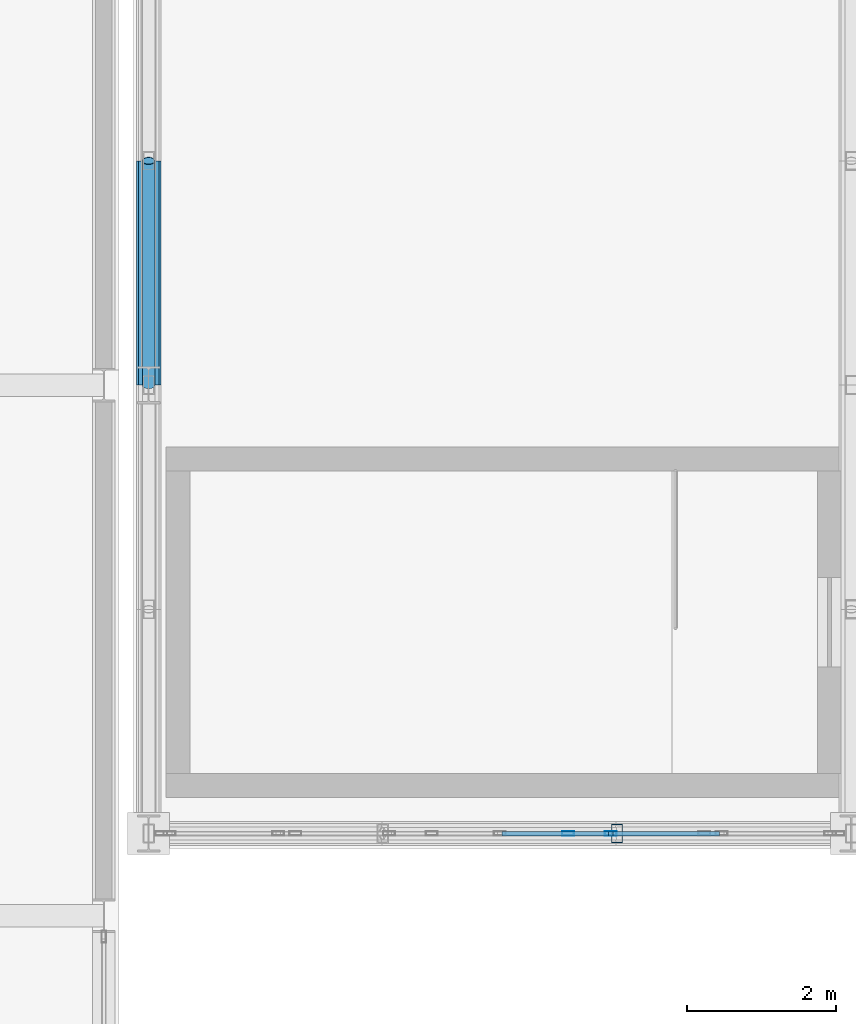
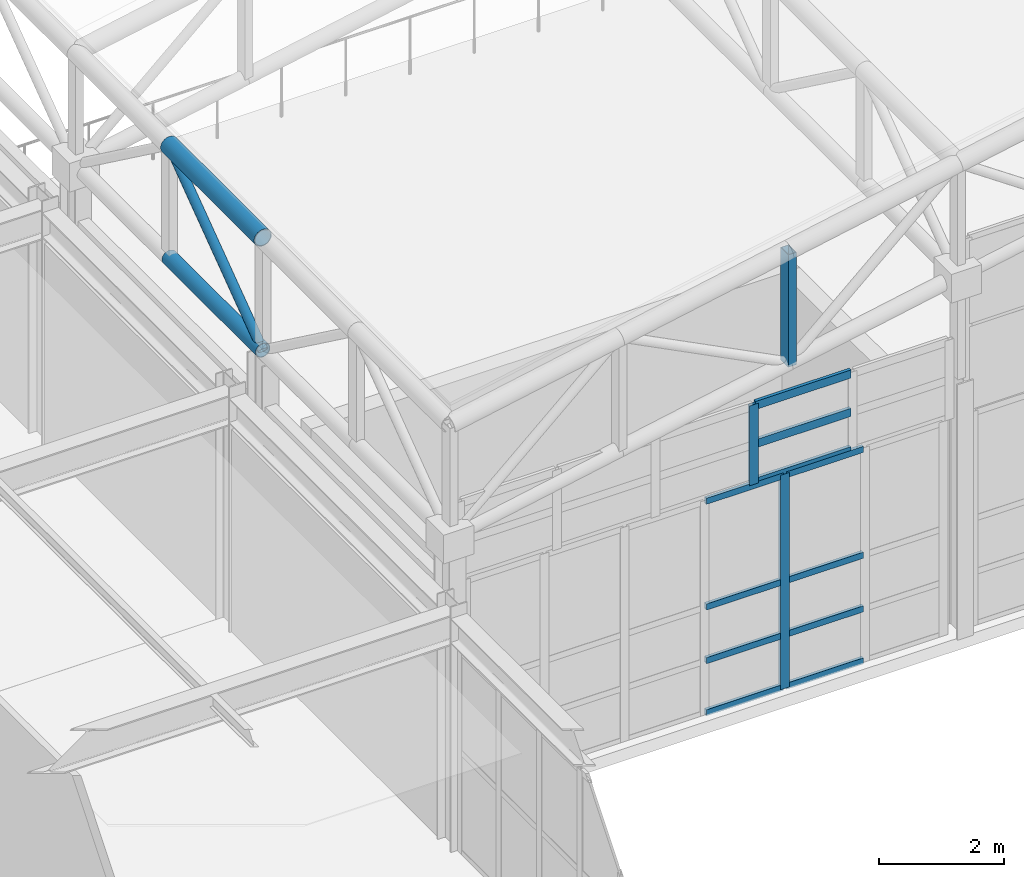
# One storey, part 43 of 112: 17 members, 2 elements without a shape of their own.
"""IFC4 building model written with IfcOpenShell, lengths in metres."""

import ifcopenshell
import ifcopenshell.guid

model = None  # the IFC model being written
_history = None  # IfcOwnerHistory: only IFC2X3 demands one
_inside = {}  # id of a spatial element -> (the spatial element, [elements in it])
_under = {}  # id of a project, library or spatial element -> (it, [spatial elements below it])
_declared = {}  # id of a project -> (the project, [libraries it declares])
_typed = {}  # id of a type object -> (the type object, [elements of that type])
_made_of = {}  # id of a material, layer set ... -> (it, [elements and type objects made of it])


def new_model(schema):
    """Start an empty IFC model of exactly this schema.

    Asked for "IFC4X3", IfcOpenShell would pick the latest addendum, in which some entities
    have other attributes; the version numbers below select the first issue.
    IFC2X3 requires an IfcOwnerHistory on every rooted entity: one is made here for all.
    """
    global model, _history
    if schema == "IFC4X3":
        model = ifcopenshell.file(schema_version=(4, 3, 0, 0))
    else:
        model = ifcopenshell.file(schema=schema)
    _inside.clear()
    _under.clear()
    _declared.clear()
    _typed.clear()
    _made_of.clear()
    _history = None
    if model.schema == "IFC2X3":
        org = make("IfcOrganization", Name="unknown")
        user = make(
            "IfcPersonAndOrganization",
            ThePerson=make("IfcPerson", FamilyName="unknown"),
            TheOrganization=org,
        )
        app = make(
            "IfcApplication",
            ApplicationDeveloper=org,
            Version="unknown",
            ApplicationFullName="unknown",
            ApplicationIdentifier="unknown",
        )
        _history = make(
            "IfcOwnerHistory",
            OwningUser=user,
            OwningApplication=app,
            ChangeAction="ADDED",
            CreationDate=0,
        )
    return model


def make(cls, **values):
    """One entity of the class cls with the attributes given. An attribute that is None is left unset."""
    return model.create_entity(
        cls, **{name: value for name, value in values.items() if value is not None}
    )


def rooted(cls, **values):
    """An entity with a GlobalId (a new one), such as an element, a storey or a relation."""
    return make(cls, GlobalId=ifcopenshell.guid.new(), OwnerHistory=_history, **values)


def si_unit(unit_type, name, prefix=None):
    """IfcSIUnit, for example si_unit("LENGTHUNIT", "METRE", prefix="MILLI")."""
    return make("IfcSIUnit", UnitType=unit_type, Prefix=prefix, Name=name)


def assignment(units):
    """IfcUnitAssignment: the units of a project."""
    return None if units is None else make("IfcUnitAssignment", Units=units)


def point(xyz):
    """IfcCartesianPoint."""
    return None if xyz is None else make("IfcCartesianPoint", Coordinates=xyz)


def direction(xyz):
    """IfcDirection."""
    return None if xyz is None else make("IfcDirection", DirectionRatios=xyz)


def frame(location, z_axis=None, x_axis=None):
    """IfcAxis2Placement3D, a coordinate frame: its origin and axes. An axis left out is left unset."""
    return make(
        "IfcAxis2Placement3D",
        Location=point(location),
        Axis=direction(z_axis),
        RefDirection=direction(x_axis),
    )


def frame_2d(location, x_axis=None):
    """IfcAxis2Placement2D, a coordinate frame in the plane: its origin and x axis."""
    return make(
        "IfcAxis2Placement2D", Location=point(location), RefDirection=direction(x_axis)
    )


def origin():
    """The frame at (0, 0, 0) with its axes left unset."""
    return frame((0.0, 0.0, 0.0))


def origin_2d():
    """The frame at (0, 0) in the plane with its x axis left unset."""
    return frame_2d((0.0, 0.0))


def place(relative_to, where):
    """IfcLocalPlacement: puts the frame where relative to a parent placement (None: the world)."""
    return make(
        "IfcLocalPlacement", PlacementRelTo=relative_to, RelativePlacement=where
    )


def context(
    kind, dimensions, precision=None, world=None, true_north=None, identifier=None
):
    """IfcGeometricRepresentationContext, for example the 3D "Model" context."""
    return make(
        "IfcGeometricRepresentationContext",
        ContextIdentifier=identifier,
        ContextType=kind,
        CoordinateSpaceDimension=dimensions,
        Precision=precision,
        WorldCoordinateSystem=world,
        TrueNorth=true_north,
    )


def subcontext(parent, identifier, kind, view, scale=None):
    """IfcGeometricRepresentationSubContext, for example "Body" below "Model"."""
    return make(
        "IfcGeometricRepresentationSubContext",
        ContextIdentifier=identifier,
        ContextType=kind,
        ParentContext=parent,
        TargetScale=scale,
        TargetView=view,
    )


def project(units=None, contexts=None):
    """IfcProject with its units and contexts."""
    return rooted(
        "IfcProject",
        Name="project",
        RepresentationContexts=contexts,
        UnitsInContext=assignment(units),
    )


def spatial(cls, under=None, at=None, **own):
    """A site, building, storey or space (cls), placed at a placement, below another one or the project."""
    s = rooted(cls, ObjectPlacement=at, **own)
    if under is not None:
        _under.setdefault(under.id(), (under, []))[1].append(s)
    return s


def profile(cls, at=None, kind="AREA", **sizes):
    """A parametric profile (cls). Its sizes go by their IFC names, for example OverallWidth=200.0."""
    return make(cls, ProfileType=kind, Position=at, **sizes)


def hollow_rectangle(**sizes):
    """IfcRectangleHollowProfileDef."""
    return profile("IfcRectangleHollowProfileDef", **sizes)


def hollow_circle(**sizes):
    """IfcCircleHollowProfileDef."""
    return profile("IfcCircleHollowProfileDef", **sizes)


def extrude(swept, where, along, depth):
    """IfcExtrudedAreaSolid: the profile swept, set in the frame where, extruded along a direction by depth."""
    return make(
        "IfcExtrudedAreaSolid",
        SweptArea=swept,
        Position=where,
        ExtrudedDirection=direction(along),
        Depth=depth,
    )


def shape(context_of_items, identifier, shape_type, items):
    """IfcShapeRepresentation: the items that make up one representation, for example the "Body"."""
    return make(
        "IfcShapeRepresentation",
        ContextOfItems=context_of_items,
        RepresentationIdentifier=identifier,
        RepresentationType=shape_type,
        Items=items,
    )


def material(Name=None, Category=None):
    """IfcMaterial."""
    return make("IfcMaterial", Name=Name, Category=Category)


def material_profile(
    of_material, cross_section, Name=None, Category=None, Priority=None
):
    """IfcMaterialProfile: a cross section and its material."""
    return make(
        "IfcMaterialProfile",
        Name=Name,
        Material=of_material,
        Profile=cross_section,
        Priority=Priority,
        Category=Category,
    )


def profile_set(profiles, Name=None, composite=None):
    """IfcMaterialProfileSet."""
    return make(
        "IfcMaterialProfileSet",
        Name=Name,
        MaterialProfiles=profiles,
        CompositeProfile=composite,
    )


def made_of(thing, what):
    """Note that an element or type object is made of a material, layer set ...; save() writes the relation."""
    if what is not None:
        _made_of.setdefault(what.id(), (what, []))[1].append(thing)
    return thing


def type_object(cls, material=None, **own):
    """A type object (cls), such as IfcWallType, which elements share."""
    return made_of(rooted(cls, **own), material)


def element(
    cls,
    number,
    at=None,
    inside=None,
    cuts=None,
    type_object=None,
    material=None,
    context=None,
    identifier="Body",
    shape_type=None,
    held_by="IfcProductDefinitionShape",
    body=None,
    shapes=None,
    **own,
):
    """One element of the class cls, such as IfcWall. Its Tag is "e" and its number.

    at: its placement. inside: the storey or other place that contains it. cuts: it is an
    opening in that element (IfcRelVoidsElement). A single representation is given by context,
    identifier, shape_type and body (its items); several are given by shapes. held_by: the class
    of the entity that holds the representations. save() writes the other relations.
    """
    e = rooted(cls, Tag="e%d" % number, ObjectPlacement=at, **own)
    if body is not None:
        shapes = [shape(context, identifier, shape_type, body)]
    if shapes is not None:
        e.Representation = make(held_by, Representations=shapes)
    if inside is not None:
        _inside.setdefault(inside.id(), (inside, []))[1].append(e)
    if cuts is not None:
        rooted(
            "IfcRelVoidsElement", RelatingBuildingElement=cuts, RelatedOpeningElement=e
        )
    if type_object is not None:
        _typed.setdefault(type_object.id(), (type_object, []))[1].append(e)
    return made_of(e, material)


def aggregate(whole, parts):
    """IfcRelAggregates: a whole, such as a stair, and the parts it consists of."""
    return rooted("IfcRelAggregates", RelatingObject=whole, RelatedObjects=parts)


def save(model, path):
    """Write the relations noted so far, then the file.

    IfcRelAggregates (storeys below a building ...), IfcRelContainedInSpatialStructure (elements
    in a storey), IfcRelDefinesByType, IfcRelAssociatesMaterial and IfcRelDeclares: one each for
    every whole, place, type object, material and project.
    """
    for whole, parts in _under.values():
        aggregate(whole, parts)
    for where, things in _inside.values():
        rooted(
            "IfcRelContainedInSpatialStructure",
            RelatedElements=things,
            RelatingStructure=where,
        )
    for kind, things in _typed.values():
        rooted("IfcRelDefinesByType", RelatedObjects=things, RelatingType=kind)
    for what, things in _made_of.values():
        rooted("IfcRelAssociatesMaterial", RelatedObjects=things, RelatingMaterial=what)
    for by, libraries in _declared.values():
        rooted("IfcRelDeclares", RelatingContext=by, RelatedDefinitions=libraries)
    model.write(path)


model = new_model("IFC4")

# Units and contexts
model_context = context("Model", 3, precision=1e-05, world=origin(), true_north=direction((0.0, 1.0)))
body_context = subcontext(model_context, "Body", "Model", "MODEL_VIEW")
ifc_project = project(units=[si_unit("LENGTHUNIT", "METRE"), si_unit("AREAUNIT", "SQUARE_METRE"), si_unit("VOLUMEUNIT", "CUBIC_METRE"), si_unit("PLANEANGLEUNIT", "RADIAN"), si_unit("MASSUNIT", "GRAM", prefix="KILO")], contexts=[model_context])

# Site, building, storey
site_placement = place(None, origin())
site = spatial("IfcSite", under=ifc_project, at=site_placement, CompositionType="ELEMENT")
building_placement = place(site_placement, origin())
building = spatial("IfcBuilding", under=site, at=building_placement, Name="Kaldris Quays Convention Centre", CompositionType="ELEMENT")
storey_placement = place(building_placement, frame((0.0, 0.0, 16.800048828125)))
storey = spatial("IfcBuildingStorey", under=building, at=storey_placement, Name="L03", CompositionType="ELEMENT", Elevation=16.800048828125)

# Curtain wall, member
ifc_material_1 = material(Name="Anodized aluminium AW-6060 and triple glazing", Category="aluminium")
curtain_wall_type_1 = type_object("IfcCurtainWallType", Name="UNITISED CURTAIN WALL CW01", PredefinedType="NOTDEFINED", material=ifc_material_1)
curtain_wall_1_placement = place(storey_placement, origin())
curtain_wall_1 = element("IfcCurtainWall", 1, at=curtain_wall_1_placement, inside=storey, type_object=curtain_wall_type_1, Name="L03 Unitised Curtain Wall CW01 36", PredefinedType="NOTDEFINED")
ifc_material_2 = material(Name="Anodized aluminium AW-6060", Category="aluminium")
ifc_material_profile_1 = material_profile(ifc_material_2, hollow_rectangle(XDim=0.06005859375, YDim=0.159912109375, WallThickness=0.00390625, at=origin_2d()), Name="RHS 160x60x4")
ifc_profile_set_1 = profile_set([ifc_material_profile_1], Name="Anodized aluminium AW-6060")
member_type_1 = type_object("IfcMemberType", Name="CURTAIN MULLION CWM1", PredefinedType="MULLION", material=ifc_profile_set_1)
member_1_placement = place(storey_placement, frame((170.783447265625, 56.0, 0.0), z_axis=(0.0, 0.0, 1.0), x_axis=(0.0, 1.0, 0.0)))
member_1 = element("IfcMember", 2, at=member_1_placement, type_object=member_type_1, Name="CW01 mullion 5", PredefinedType="MULLION", context=body_context, shape_type="SweptSolid", body=[
    extrude(hollow_rectangle(XDim=0.06005859375, YDim=0.159912109375, WallThickness=0.00390625, at=origin_2d()), origin(), (0.0, 0.0, 1.0), 4.199951171875),
])

curtain_wall_type_2 = type_object("IfcCurtainWallType", Name="UNITISED CURTAIN WALL CW05", PredefinedType="NOTDEFINED", material=ifc_material_1)
curtain_wall_2_placement = place(storey_placement, origin())
curtain_wall_2 = element("IfcCurtainWall", 3, at=curtain_wall_2_placement, inside=storey, type_object=curtain_wall_type_2, Name="L03 Unitised Curtain Wall CW05 255", PredefinedType="NOTDEFINED")
member_2_placement = place(storey_placement, frame((170.2119140625, 56.0, 4.195068359375), z_axis=(0.0, 0.0, 1.0), x_axis=(0.0, 1.0, 0.0)))
member_2 = element("IfcMember", 4, at=member_2_placement, type_object=member_type_1, Name="CW05 mullion 4", PredefinedType="MULLION", context=body_context, shape_type="SweptSolid", body=[
    extrude(hollow_rectangle(XDim=0.06005859375, YDim=0.159912109375, WallThickness=0.00390625, at=origin_2d()), origin(), (0.0, 0.0, 1.0), 1.561767578125),
])

# Member
ifc_material_profile_2 = material_profile(ifc_material_2, hollow_rectangle(XDim=0.06005859375, YDim=0.1201171875, WallThickness=0.00390625, at=origin_2d()), Name="RHS 120x60x4")
ifc_profile_set_2 = profile_set([ifc_material_profile_2], Name="Anodized aluminium AW-6060")
member_type_2 = type_object("IfcMemberType", Name="CURTAIN TRANSOM CWT1", PredefinedType="USERDEFINED", material=ifc_profile_set_2)
member_3_placement = place(storey_placement, frame((169.330078125, 56.0, 0.030029296875), z_axis=(1.0, 0.0, 0.0), x_axis=(0.0, 1.0, 0.0)))
member_3 = element("IfcMember", 5, at=member_3_placement, type_object=member_type_2, Name="CW01 transom 4.1", ObjectType="TRANSOM", PredefinedType="USERDEFINED", context=body_context, shape_type="SweptSolid", body=[
    extrude(hollow_rectangle(XDim=0.06005859375, YDim=0.1201171875, WallThickness=0.00390625, at=origin_2d()), origin(), (0.0, 0.0, 1.0), 1.42333984375),
])

member_4_placement = place(storey_placement, frame((169.330078125, 56.0, 1.050048828125), z_axis=(1.0, 0.0, 0.0), x_axis=(0.0, 1.0, 0.0)))
member_4 = element("IfcMember", 6, at=member_4_placement, type_object=member_type_2, Name="CW01 transom 4.2", ObjectType="TRANSOM", PredefinedType="USERDEFINED", context=body_context, shape_type="SweptSolid", body=[
    extrude(hollow_rectangle(XDim=0.06005859375, YDim=0.1201171875, WallThickness=0.00390625, at=origin_2d()), origin(), (0.0, 0.0, 1.0), 1.42333984375),
])

member_5_placement = place(storey_placement, frame((169.330078125, 56.0, 2.099853515625), z_axis=(1.0, 0.0, 0.0), x_axis=(0.0, 1.0, 0.0)))
member_5 = element("IfcMember", 7, at=member_5_placement, type_object=member_type_2, Name="CW01 transom 4.3", ObjectType="TRANSOM", PredefinedType="USERDEFINED", context=body_context, shape_type="SweptSolid", body=[
    extrude(hollow_rectangle(XDim=0.06005859375, YDim=0.1201171875, WallThickness=0.00390625, at=origin_2d()), origin(), (0.0, 0.0, 1.0), 1.42333984375),
])

member_6_placement = place(storey_placement, frame((169.330078125, 56.0, 4.169921875), z_axis=(1.0, 0.0, 0.0), x_axis=(0.0, 1.0, 0.0)))
member_6 = element("IfcMember", 8, at=member_6_placement, type_object=member_type_2, Name="CW01 transom 4.4", ObjectType="TRANSOM", PredefinedType="USERDEFINED", context=body_context, shape_type="SweptSolid", body=[
    extrude(hollow_rectangle(XDim=0.06005859375, YDim=0.1201171875, WallThickness=0.00390625, at=origin_2d()), origin(), (0.0, 0.0, 1.0), 1.42333984375),
])

member_7_placement = place(storey_placement, frame((170.813232421875, 56.0, 0.030029296875), z_axis=(1.0, 0.0, 0.0), x_axis=(0.0, 1.0, 0.0)))
member_7 = element("IfcMember", 9, at=member_7_placement, type_object=member_type_2, Name="CW01 transom 5.1", ObjectType="TRANSOM", PredefinedType="USERDEFINED", context=body_context, shape_type="SweptSolid", body=[
    extrude(hollow_rectangle(XDim=0.06005859375, YDim=0.1201171875, WallThickness=0.00390625, at=origin_2d()), origin(), (0.0, 0.0, 1.0), 1.42333984375),
])

member_8_placement = place(storey_placement, frame((170.813232421875, 56.0, 1.050048828125), z_axis=(1.0, 0.0, 0.0), x_axis=(0.0, 1.0, 0.0)))
member_8 = element("IfcMember", 10, at=member_8_placement, type_object=member_type_2, Name="CW01 transom 5.2", ObjectType="TRANSOM", PredefinedType="USERDEFINED", context=body_context, shape_type="SweptSolid", body=[
    extrude(hollow_rectangle(XDim=0.06005859375, YDim=0.1201171875, WallThickness=0.00390625, at=origin_2d()), origin(), (0.0, 0.0, 1.0), 1.42333984375),
])

member_9_placement = place(storey_placement, frame((170.813232421875, 56.0, 2.099853515625), z_axis=(1.0, 0.0, 0.0), x_axis=(0.0, 1.0, 0.0)))
member_9 = element("IfcMember", 11, at=member_9_placement, type_object=member_type_2, Name="CW01 transom 5.3", ObjectType="TRANSOM", PredefinedType="USERDEFINED", context=body_context, shape_type="SweptSolid", body=[
    extrude(hollow_rectangle(XDim=0.06005859375, YDim=0.1201171875, WallThickness=0.00390625, at=origin_2d()), origin(), (0.0, 0.0, 1.0), 1.42333984375),
])

member_10_placement = place(storey_placement, frame((170.813232421875, 56.0, 4.169921875), z_axis=(1.0, 0.0, 0.0), x_axis=(0.0, 1.0, 0.0)))
member_10 = element("IfcMember", 12, at=member_10_placement, type_object=member_type_2, Name="CW01 transom 5.4", ObjectType="TRANSOM", PredefinedType="USERDEFINED", context=body_context, shape_type="SweptSolid", body=[
    extrude(hollow_rectangle(XDim=0.06005859375, YDim=0.1201171875, WallThickness=0.00390625, at=origin_2d()), origin(), (0.0, 0.0, 1.0), 1.42333984375),
])

aggregate(curtain_wall_1, [member_1, member_3, member_4, member_5, member_6, member_7, member_8, member_9, member_10])

ifc_material_profile_3 = material_profile(ifc_material_2, hollow_rectangle(XDim=0.06005859375, YDim=0.159912109375, WallThickness=0.00390625, at=origin_2d()), Name="RHS 160x60x4")
ifc_profile_set_3 = profile_set([ifc_material_profile_3], Name="Anodized aluminium AW-6060")
member_type_3 = type_object("IfcMemberType", Name="CURTAIN TRANSOM CWT2", PredefinedType="USERDEFINED", material=ifc_profile_set_3)
member_11_placement = place(storey_placement, frame((170.241943359375, 56.0, 4.224853515625), z_axis=(1.0, 0.0, 0.0), x_axis=(0.0, 1.0, 0.0)))
member_11 = element("IfcMember", 13, at=member_11_placement, type_object=member_type_3, Name="CW05 transom 4.1", ObjectType="TRANSOM", PredefinedType="USERDEFINED", context=body_context, shape_type="SweptSolid", body=[
    extrude(hollow_rectangle(XDim=0.06005859375, YDim=0.159912109375, WallThickness=0.00390625, at=origin_2d()), origin(), (0.0, 0.0, 1.0), 1.76416015625),
])

member_12_placement = place(storey_placement, frame((170.241943359375, 56.0, 4.975830078125), z_axis=(1.0, 0.0, 0.0), x_axis=(0.0, 1.0, 0.0)))
member_12 = element("IfcMember", 14, at=member_12_placement, type_object=member_type_3, Name="CW05 transom 4.2", ObjectType="TRANSOM", PredefinedType="USERDEFINED", context=body_context, shape_type="SweptSolid", body=[
    extrude(hollow_rectangle(XDim=0.06005859375, YDim=0.159912109375, WallThickness=0.00390625, at=origin_2d()), origin(), (0.0, 0.0, 1.0), 1.76416015625),
])

member_13_placement = place(storey_placement, frame((170.241943359375, 56.0, 5.72705078125), z_axis=(1.0, 0.0, 0.0), x_axis=(0.0, 1.0, 0.0)))
member_13 = element("IfcMember", 15, at=member_13_placement, type_object=member_type_3, Name="CW05 transom 4.3", ObjectType="TRANSOM", PredefinedType="USERDEFINED", context=body_context, shape_type="SweptSolid", body=[
    extrude(hollow_rectangle(XDim=0.06005859375, YDim=0.159912109375, WallThickness=0.00390625, at=origin_2d()), origin(), (0.0, 0.0, 1.0), 1.76416015625),
])

aggregate(curtain_wall_2, [member_2, member_11, member_12, member_13])

# Members
ifc_material_3 = material(Name="Steel S355J2H", Category="steel")
ifc_material_profile_4 = material_profile(ifc_material_3, hollow_circle(Radius=0.161865234375, WallThickness=0.01611328125, at=origin_2d()), Name="CHS 323.9x16")
ifc_profile_set_4 = profile_set([ifc_material_profile_4], Name="Steel S355J2H")
member_type_4 = type_object("IfcMemberType", Name="STRUCTURAL MEMBER SC03", PredefinedType="CHORD", material=ifc_profile_set_4)
member_14_placement = place(storey_placement, frame((164.60009765625, 62.0, 7.33056640625), z_axis=(0.0, 1.0, 0.0), x_axis=(-1.0, 0.0, 0.0)))
element("IfcMember", 16, at=member_14_placement, inside=storey, type_object=member_type_4, Name="SF-V2 Top Chord Y 78", PredefinedType="CHORD", context=body_context, shape_type="SweptSolid", body=[
    extrude(hollow_circle(Radius=0.161865234375, WallThickness=0.01611328125, at=origin_2d()), origin(), (0.0, 0.0, 1.0), 3.0),
])
ifc_material_profile_5 = material_profile(ifc_material_3, hollow_circle(Radius=0.136474609375, WallThickness=0.012451171875, at=origin_2d()), Name="CHS 273x12.5")
ifc_profile_set_5 = profile_set([ifc_material_profile_5], Name="Steel S355J2H")
member_type_5 = type_object("IfcMemberType", Name="STRUCTURAL MEMBER SC04", PredefinedType="CHORD", material=ifc_profile_set_5)
member_15_placement = place(storey_placement, frame((164.60009765625, 62.0, 5.13037109375), z_axis=(0.0, 1.0, 0.0), x_axis=(-1.0, 0.0, 0.0)))
element("IfcMember", 17, at=member_15_placement, inside=storey, type_object=member_type_5, Name="SF-V2 Bottom Chord Y 78", PredefinedType="CHORD", context=body_context, shape_type="SweptSolid", body=[
    extrude(hollow_circle(Radius=0.136474609375, WallThickness=0.012451171875, at=origin_2d()), origin(), (0.0, 0.0, 1.0), 3.0),
])
ifc_material_profile_6 = material_profile(ifc_material_3, hollow_circle(Radius=0.084228515625, WallThickness=0.008056640625, at=origin_2d()), Name="CHS 168.3x8")
ifc_profile_set_6 = profile_set([ifc_material_profile_6], Name="Steel S355J2H")
member_type_6 = type_object("IfcMemberType", Name="STRUCTURAL MEMBER SWB2", PredefinedType="BRACE", material=ifc_profile_set_6)
member_16_placement = place(storey_placement, frame((164.60009765625, 62.0, 5.13037109375), z_axis=(0.0, 0.806379959628, 0.591397802423), x_axis=(-1.0, 0.0, 0.0)))
element("IfcMember", 18, at=member_16_placement, inside=storey, type_object=member_type_6, Name="SF-V2 Web Diagonal Y 78", PredefinedType="BRACE", context=body_context, shape_type="SweptSolid", body=[
    extrude(hollow_circle(Radius=0.084228515625, WallThickness=0.008056640625, at=origin_2d()), origin(), (0.0, 0.0, 1.0), 3.72021484375),
])
ifc_material_profile_7 = material_profile(ifc_material_3, hollow_rectangle(XDim=0.14990234375, YDim=0.25, WallThickness=0.010009765625, at=origin_2d()), Name="RHS 250x150x10")
ifc_profile_set_7 = profile_set([ifc_material_profile_7], Name="Steel S355J2H")
member_type_7 = type_object("IfcMemberType", Name="STRUCTURAL MEMBER TTV1", PredefinedType="POST", material=ifc_profile_set_7)
member_17_placement = place(storey_placement, frame((170.866943359375, 56.0, 6.33935546875), z_axis=(0.0, 0.0, 1.0), x_axis=(1.0, 0.0, 0.0)))
element("IfcMember", 19, at=member_17_placement, inside=storey, type_object=member_type_7, Name="SF-V2 Space-Frame Post 23", PredefinedType="POST", context=body_context, shape_type="SweptSolid", body=[
    extrude(hollow_rectangle(XDim=0.14990234375, YDim=0.25, WallThickness=0.010009765625, at=origin_2d()), origin(), (0.0, 0.0, 1.0), 2.199951171875),
])

save(model, "model.ifc")
